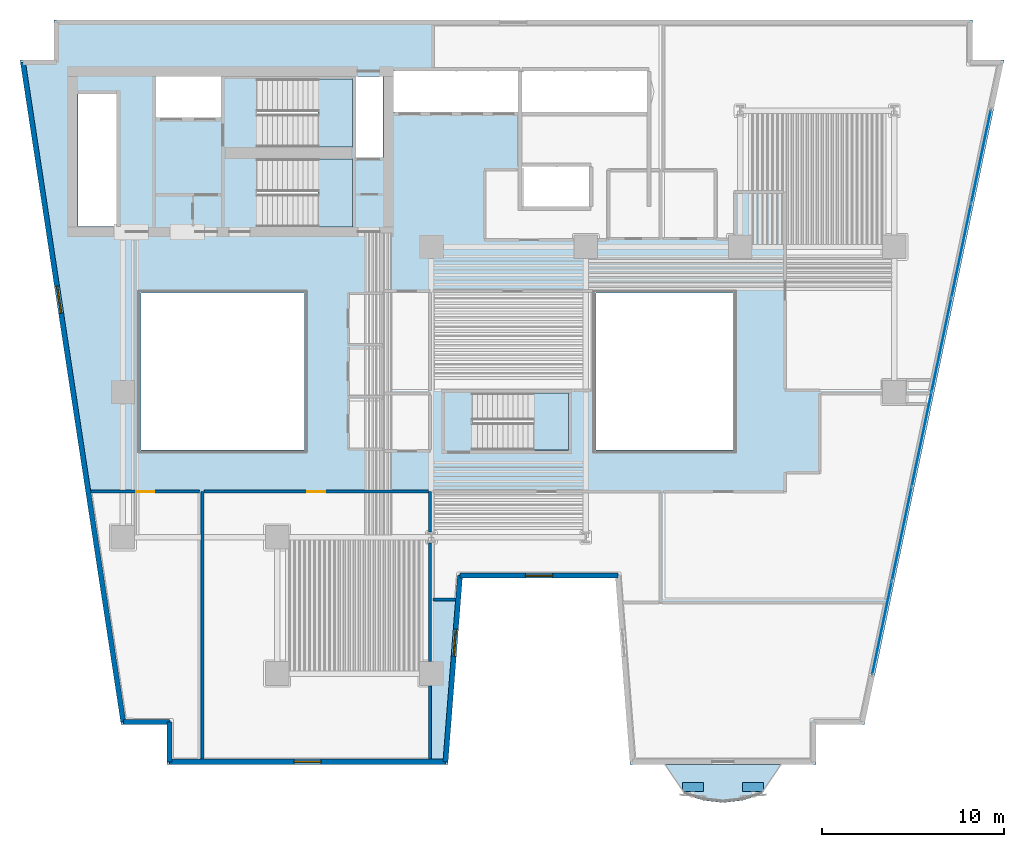
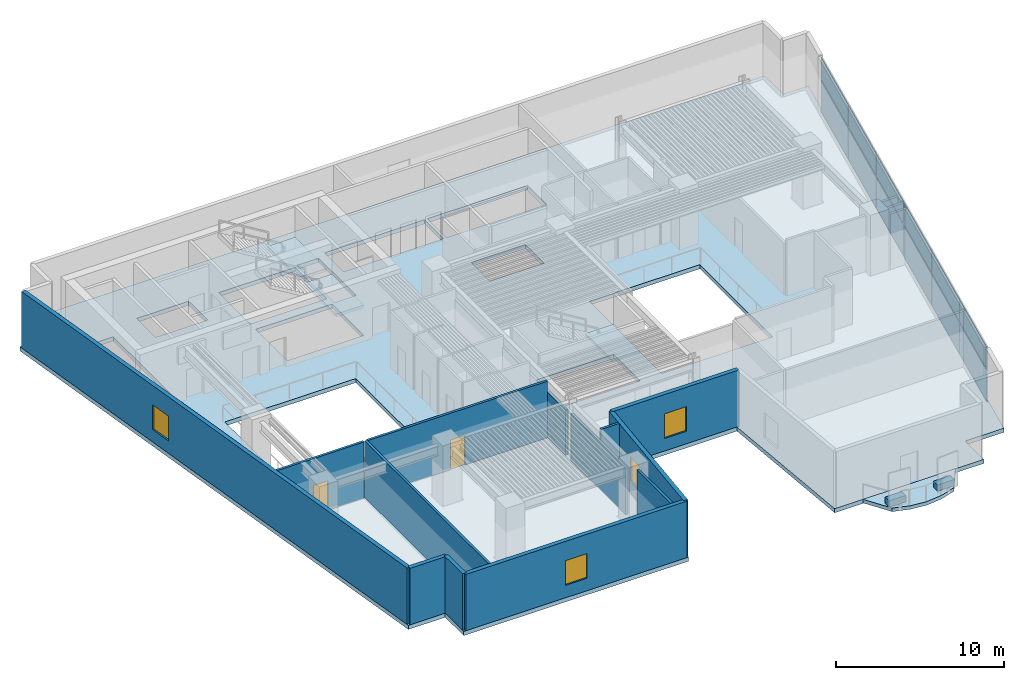
# One storey, part 3 of 11: 14 plates, 13 walls, 5 slabs, 4 windows, 2 doors, 6 openings, 4 elements without a shape of their own.
"""IFC4 building model written with IfcOpenShell, lengths in metres."""

from ifc_helpers import new_model, si_unit, direction, frame, frame_2d, origin, origin_2d, place, context, subcontext, project, spatial, polyline, rectangle, outline, extrude, material, layer, layer_set, type_object, element, fill, aggregate, save


model = new_model("IFC4")

# Units and contexts
model_context = context("Model", 3, precision=1e-05, world=origin(), true_north=direction((0.0, 1.0)))
body_context = subcontext(model_context, "Body", "Model", "MODEL_VIEW")
ifc_project = project(units=[si_unit("LENGTHUNIT", "METRE"), si_unit("AREAUNIT", "SQUARE_METRE"), si_unit("VOLUMEUNIT", "CUBIC_METRE"), si_unit("PLANEANGLEUNIT", "RADIAN"), si_unit("MASSUNIT", "GRAM", prefix="KILO")], contexts=[model_context])

# Site, building, storey
site_placement = place(None, origin())
site = spatial("IfcSite", under=ifc_project, at=site_placement, CompositionType="ELEMENT")
building_placement = place(site_placement, origin())
building = spatial("IfcBuilding", under=site, at=building_placement, Name="Caeloran Harvest Quay", CompositionType="ELEMENT")
storey_placement = place(building_placement, frame((0.0, 0.0, 44.60009765625)))
storey = spatial("IfcBuildingStorey", under=building, at=storey_placement, Name="L10", CompositionType="ELEMENT", Elevation=44.60009765625)

# Slab
ifc_material_1 = material(Name="Concrete C50/60", Category="concrete")
ifc_layer_1 = layer(ifc_material_1, 0.260009765625, Name="Concrete C50/60")
ifc_layer_set_1 = layer_set([ifc_layer_1], Name="Concrete C50/60")
slab_type_1 = type_object("IfcSlabType", Name="BALCONY-BL-260", PredefinedType="FLOOR", material=ifc_layer_set_1)
slab_1_placement = place(storey_placement, frame((0.0, 0.0, -0.260009765625)))
element("IfcSlab", 1, at=slab_1_placement, inside=storey, type_object=slab_type_1, Name="L10 Scalloped Cantilevered Planted Balcony Slab", PredefinedType="FLOOR", context=body_context, shape_type="SweptSolid", body=[
    extrude(outline(polyline([(43.686767578125, 0.840087890625), (42.622802734375, 0.510498046875), (41.55859375, 0.389892578125), (40.494384765625, 0.510498046875), (39.43017578125, 0.840087890625), (38.378662109375, 2.5), (44.73828125, 2.5), (43.686767578125, 0.840087890625)])), origin(), (0.0, 0.0, 1.0), 0.260009765625),
])

# Curtain wall, plates
ifc_material_2 = material(Name="Aluminium 6063-T6 and Low-E Glazing", Category="aluminium")
ifc_layer_2 = layer(ifc_material_2, 0.199951171875, Name="Aluminium 6063-T6 and Low-E Glazing")
ifc_layer_set_2 = layer_set([ifc_layer_2], Name="Aluminium 6063-T6 and Low-E Glazing")
curtain_wall_type = type_object("IfcCurtainWallType", Name="CW-SYS-CW-2", PredefinedType="USERDEFINED", material=ifc_layer_set_2)
curtain_wall_placement = place(storey_placement, origin())
curtain_wall = element("IfcCurtainWall", 2, at=curtain_wall_placement, inside=storey, type_object=curtain_wall_type, Name="L10 Unitised Curtain Wall CW-2 Run 9", ObjectType="CURTAIN_WALL", PredefinedType="USERDEFINED")
ifc_material_3 = material(Name="Low-E Double Glazed Vision Glass Unit", Category="glass")
ifc_layer_3 = layer(ifc_material_3, 0.035888671875, Name="Low-E Double Glazed Vision Glass Unit")
ifc_layer_set_3 = layer_set([ifc_layer_3], Name="Low-E Double Glazed Vision Glass Unit")
plate_type_1 = type_object("IfcPlateType", Name="CW-VISION-PANEL", PredefinedType="CURTAIN_PANEL", material=ifc_layer_set_3)
plate_1_placement = place(storey_placement, frame((55.780029296875, 35.993408203125, 0.080078125), z_axis=(0.0, 0.0, 1.0), x_axis=(-0.205582960081, -0.978639691881, 0.0)))
plate_1 = element("IfcPlate", 3, at=plate_1_placement, type_object=plate_type_1, Name="CW-2 panel 1.1", PredefinedType="CURTAIN_PANEL", context=body_context, shape_type="SweptSolid", body=[
    extrude(rectangle(XDim=5.19873046875, YDim=0.035888671875, at=origin_2d()), origin(), (0.0, 0.0, 1.0), 2.280029296875),
])
plate_2_placement = place(storey_placement, frame((55.780029296875, 35.993408203125, 2.43994140625), z_axis=(0.0, 0.0, 1.0), x_axis=(-0.205582960081, -0.978639691881, 0.0)))
plate_2 = element("IfcPlate", 4, at=plate_2_placement, type_object=plate_type_1, Name="CW-2 panel 1.2", PredefinedType="CURTAIN_PANEL", context=body_context, shape_type="SweptSolid", body=[
    extrude(rectangle(XDim=5.19873046875, YDim=0.035888671875, at=origin_2d()), origin(), (0.0, 0.0, 1.0), 1.580078125),
])
plate_3_placement = place(storey_placement, frame((54.690673828125, 30.807861328125, 0.080078125), z_axis=(0.0, 0.0, 1.0), x_axis=(-0.205582960081, -0.978639691881, 0.0)))
plate_3 = element("IfcPlate", 5, at=plate_3_placement, type_object=plate_type_1, Name="CW-2 panel 2.1", PredefinedType="CURTAIN_PANEL", context=body_context, shape_type="SweptSolid", body=[
    extrude(rectangle(XDim=5.23876953125, YDim=0.035888671875, at=origin_2d()), origin(), (0.0, 0.0, 1.0), 2.280029296875),
])
plate_4_placement = place(storey_placement, frame((54.690673828125, 30.807861328125, 2.43994140625), z_axis=(0.0, 0.0, 1.0), x_axis=(-0.205582960081, -0.978639691881, 0.0)))
plate_4 = element("IfcPlate", 6, at=plate_4_placement, type_object=plate_type_1, Name="CW-2 panel 2.2", PredefinedType="CURTAIN_PANEL", context=body_context, shape_type="SweptSolid", body=[
    extrude(rectangle(XDim=5.23876953125, YDim=0.035888671875, at=origin_2d()), origin(), (0.0, 0.0, 1.0), 1.580078125),
])
plate_5_placement = place(storey_placement, frame((53.59716796875, 25.6025390625, 0.080078125), z_axis=(0.0, 0.0, 1.0), x_axis=(-0.205582960081, -0.978639691881, 0.0)))
plate_5 = element("IfcPlate", 7, at=plate_5_placement, type_object=plate_type_1, Name="CW-2 panel 3.1", PredefinedType="CURTAIN_PANEL", context=body_context, shape_type="SweptSolid", body=[
    extrude(rectangle(XDim=5.23876953125, YDim=0.035888671875, at=origin_2d()), origin(), (0.0, 0.0, 1.0), 2.280029296875),
])
plate_6_placement = place(storey_placement, frame((53.59716796875, 25.6025390625, 2.43994140625), z_axis=(0.0, 0.0, 1.0), x_axis=(-0.205582960081, -0.978639691881, 0.0)))
plate_6 = element("IfcPlate", 8, at=plate_6_placement, type_object=plate_type_1, Name="CW-2 panel 3.2", PredefinedType="CURTAIN_PANEL", context=body_context, shape_type="SweptSolid", body=[
    extrude(rectangle(XDim=5.23876953125, YDim=0.035888671875, at=origin_2d()), origin(), (0.0, 0.0, 1.0), 1.580078125),
])
plate_7_placement = place(storey_placement, frame((52.503662109375, 20.3974609375, 0.080078125), z_axis=(0.0, 0.0, 1.0), x_axis=(-0.205582960081, -0.978639691881, 0.0)))
plate_7 = element("IfcPlate", 9, at=plate_7_placement, type_object=plate_type_1, Name="CW-2 panel 4.1", PredefinedType="CURTAIN_PANEL", context=body_context, shape_type="SweptSolid", body=[
    extrude(rectangle(XDim=5.23876953125, YDim=0.035888671875, at=origin_2d()), origin(), (0.0, 0.0, 1.0), 2.280029296875),
])
plate_8_placement = place(storey_placement, frame((52.503662109375, 20.3974609375, 2.43994140625), z_axis=(0.0, 0.0, 1.0), x_axis=(-0.205582960081, -0.978639691881, 0.0)))
plate_8 = element("IfcPlate", 10, at=plate_8_placement, type_object=plate_type_1, Name="CW-2 panel 4.2", PredefinedType="CURTAIN_PANEL", context=body_context, shape_type="SweptSolid", body=[
    extrude(rectangle(XDim=5.23876953125, YDim=0.035888671875, at=origin_2d()), origin(), (0.0, 0.0, 1.0), 1.580078125),
])
plate_9_placement = place(storey_placement, frame((51.41015625, 15.192138671875, 0.080078125), z_axis=(0.0, 0.0, 1.0), x_axis=(-0.205582960081, -0.978639691881, 0.0)))
plate_9 = element("IfcPlate", 11, at=plate_9_placement, type_object=plate_type_1, Name="CW-2 panel 5.1", PredefinedType="CURTAIN_PANEL", context=body_context, shape_type="SweptSolid", body=[
    extrude(rectangle(XDim=5.23876953125, YDim=0.035888671875, at=origin_2d()), origin(), (0.0, 0.0, 1.0), 2.280029296875),
])
plate_10_placement = place(storey_placement, frame((51.41015625, 15.192138671875, 2.43994140625), z_axis=(0.0, 0.0, 1.0), x_axis=(-0.205582960081, -0.978639691881, 0.0)))
plate_10 = element("IfcPlate", 12, at=plate_10_placement, type_object=plate_type_1, Name="CW-2 panel 5.2", PredefinedType="CURTAIN_PANEL", context=body_context, shape_type="SweptSolid", body=[
    extrude(rectangle(XDim=5.23876953125, YDim=0.035888671875, at=origin_2d()), origin(), (0.0, 0.0, 1.0), 1.580078125),
])
plate_11_placement = place(storey_placement, frame((50.321044921875, 10.006591796875, 0.080078125), z_axis=(0.0, 0.0, 1.0), x_axis=(-0.205582960081, -0.978639691881, 0.0)))
plate_11 = element("IfcPlate", 13, at=plate_11_placement, type_object=plate_type_1, Name="CW-2 panel 6.1", PredefinedType="CURTAIN_PANEL", context=body_context, shape_type="SweptSolid", body=[
    extrude(rectangle(XDim=5.19873046875, YDim=0.035888671875, at=origin_2d()), origin(), (0.0, 0.0, 1.0), 2.280029296875),
])
plate_12_placement = place(storey_placement, frame((50.321044921875, 10.006591796875, 2.43994140625), z_axis=(0.0, 0.0, 1.0), x_axis=(-0.205582960081, -0.978639691881, 0.0)))
plate_12 = element("IfcPlate", 14, at=plate_12_placement, type_object=plate_type_1, Name="CW-2 panel 6.2", PredefinedType="CURTAIN_PANEL", context=body_context, shape_type="SweptSolid", body=[
    extrude(rectangle(XDim=5.19873046875, YDim=0.035888671875, at=origin_2d()), origin(), (0.0, 0.0, 1.0), 1.580078125),
])
aggregate(curtain_wall, [plate_1, plate_2, plate_3, plate_4, plate_5, plate_6, plate_7, plate_8, plate_9, plate_10, plate_11, plate_12])

# Plates
ifc_material_4 = material(Name="Precast concrete C50/60", Category="concrete")
ifc_layer_4 = layer(ifc_material_4, 0.449951171875, Name="Precast concrete C50/60")
ifc_layer_set_4 = layer_set([ifc_layer_4], Name="Precast concrete C50/60")
plate_type_2 = type_object("IfcPlateType", Name="PLANTER-TROUGH-450", PredefinedType="USERDEFINED", material=ifc_layer_set_4)
for number, where, z_axis, x_axis, name in (
    (15, (43.218505859375, 1.2451171875, 0.0), (0.0, 0.0, 1.0), (1.0, 0.0, 0.0), "L10 Balcony Vertical-Greenery Precast PLANTER Trough 1"),
    (16, (39.8984375, 1.2451171875, 0.0), (0.0, 0.0, 1.0), (1.0, 0.0, 0.0), "L10 Balcony Vertical-Greenery Precast PLANTER Trough 2"),
):
    element("IfcPlate", number, at=place(storey_placement, frame(where, z_axis=z_axis, x_axis=x_axis)), inside=storey, type_object=plate_type_2, Name=name, ObjectType="PLANTER", PredefinedType="USERDEFINED", context=body_context, shape_type="SweptSolid", body=[
        extrude(rectangle(XDim=1.14990234375, YDim=0.47998046875, at=origin_2d()), origin(), (0.0, 0.0, 1.0), 0.449951171875),
    ])

# Slab
ifc_layer_5 = layer(ifc_material_1, 0.300048828125, Name="Concrete C50/60")
ifc_layer_set_5 = layer_set([ifc_layer_5], Name="Concrete C50/60")
slab_type_2 = type_object("IfcSlabType", Name="SLAB-FS-300", PredefinedType="FLOOR", material=ifc_layer_set_5)
slab_2_placement = place(storey_placement, frame((0.0, 0.0, -0.300048828125)))
element("IfcSlab", 17, at=slab_2_placement, inside=storey, type_object=slab_type_2, Name="L10 Structural Floor Slab", PredefinedType="FLOOR", context=body_context, shape_type="SweptSolid", body=[
    extrude(outline(polyline([(10.93701171875, 2.5), (26.403076171875, 2.5), (27.202880859375, 12.75), (35.640380859375, 12.75), (36.4404296875, 2.5), (46.68701171875, 2.5), (46.68701171875, 4.699951171875), (49.34912109375, 4.699951171875), (57.037841796875, 41.300048828125), (55.300048828125, 41.300048828125), (55.300048828125, 43.5), (4.699951171875, 43.5), (4.699951171875, 41.300048828125), (2.834716796875, 41.300048828125), (8.40234375, 4.699951171875), (10.93701171875, 4.699951171875), (10.93701171875, 2.5)]), holes=[polyline([(18.5, 19.800048828125), (9.5, 19.800048828125), (9.5, 28.449951171875), (18.5, 28.449951171875), (18.5, 19.800048828125)]), polyline([(15.89990234375, 32.10009765625), (15.89990234375, 35.85009765625), (21.14990234375, 35.85009765625), (21.14990234375, 32.10009765625), (15.89990234375, 32.10009765625)]), polyline([(8.159912109375, 32.1201171875), (6.02001953125, 32.1201171875), (6.02001953125, 39.419921875), (8.159912109375, 39.419921875), (8.159912109375, 32.1201171875)]), polyline([(21.35009765625, 35.919921875), (21.35009765625, 40.3798828125), (22.830078125, 40.3798828125), (22.830078125, 35.919921875), (21.35009765625, 35.919921875)]), polyline([(15.89990234375, 40.25), (21.14990234375, 40.25), (21.14990234375, 36.5), (15.89990234375, 36.5), (15.89990234375, 40.25)]), polyline([(13.89990234375, 38.1201171875), (10.320068359375, 38.1201171875), (10.320068359375, 40.3798828125), (13.89990234375, 40.3798828125), (13.89990234375, 38.1201171875)]), polyline([(27.75, 22.949951171875), (33.050048828125, 22.949951171875), (33.050048828125, 19.800048828125), (27.75, 19.800048828125), (27.75, 22.949951171875)]), polyline([(34.550048828125, 19.800048828125), (34.550048828125, 28.449951171875), (42.14990234375, 28.449951171875), (42.14990234375, 19.800048828125), (34.550048828125, 19.800048828125)]), polyline([(34.199951171875, 33.219970703125), (30.47998046875, 33.219970703125), (30.47998046875, 35.429931640625), (34.199951171875, 35.429931640625), (34.199951171875, 33.219970703125)]), polyline([(23.419921875, 38.419921875), (23.419921875, 40.679931640625), (30.280029296875, 40.679931640625), (30.280029296875, 38.419921875), (23.419921875, 38.419921875)]), polyline([(30.47998046875, 38.419921875), (30.47998046875, 40.679931640625), (37.3798828125, 40.679931640625), (37.3798828125, 38.419921875), (30.47998046875, 38.419921875)])]), origin(), (0.0, 0.0, 1.0), 0.300048828125),
])

# Stair, slab
stair_type_1 = type_object("IfcStairType", Name="STAIR-STC-180", PredefinedType="HALF_TURN_STAIR", material=ifc_material_1)
stair_1_placement = place(storey_placement, origin())
stair_1 = element("IfcStair", 18, at=stair_1_placement, inside=storey, type_object=stair_type_1, Name="L10 Core Pressurized Exit Stair ST-C1", PredefinedType="HALF_TURN_STAIR")
ifc_layer_6 = layer(ifc_material_1, 0.219970703125, Name="Concrete C50/60")
ifc_layer_set_6 = layer_set([ifc_layer_6], Name="Concrete C50/60")
slab_type_3 = type_object("IfcSlabType", Name="STAIR-LANDING-220", PredefinedType="LANDING", material=ifc_layer_set_6)
slab_3_placement = place(storey_placement, frame((0.0, 0.0, 2.0)))
slab_3 = element("IfcSlab", 19, at=slab_3_placement, type_object=slab_type_3, Name="ST-C1 landing 1", PredefinedType="LANDING", context=body_context, shape_type="SweptSolid", body=[
    extrude(outline(polyline([(19.260009765625, 36.5), (21.14990234375, 36.5), (21.14990234375, 40.25), (19.260009765625, 40.25), (19.260009765625, 36.5)])), origin(), (0.0, 0.0, 1.0), 0.199951171875),
])
aggregate(stair_1, [slab_3])

stair_2_placement = place(storey_placement, origin())
stair_2 = element("IfcStair", 20, at=stair_2_placement, inside=storey, type_object=stair_type_1, Name="L10 Core Pressurized Exit Stair ST-C2", PredefinedType="HALF_TURN_STAIR")
slab_4_placement = place(storey_placement, frame((0.0, 0.0, 2.0)))
slab_4 = element("IfcSlab", 21, at=slab_4_placement, type_object=slab_type_3, Name="ST-C2 landing 1", PredefinedType="LANDING", context=body_context, shape_type="SweptSolid", body=[
    extrude(outline(polyline([(19.260009765625, 32.10009765625), (21.14990234375, 32.10009765625), (21.14990234375, 35.85009765625), (19.260009765625, 35.85009765625), (19.260009765625, 32.10009765625)])), origin(), (0.0, 0.0, 1.0), 0.199951171875),
])
aggregate(stair_2, [slab_4])

stair_type_2 = type_object("IfcStairType", Name="STAIR-STW-150", PredefinedType="HALF_TURN_STAIR", material=ifc_material_1)
stair_3_placement = place(storey_placement, origin())
stair_3 = element("IfcStair", 22, at=stair_3_placement, inside=storey, type_object=stair_type_2, Name="L10 East Wing Protected Exit Stair ST-W1", PredefinedType="HALF_TURN_STAIR")
slab_5_placement = place(storey_placement, frame((0.0, 0.0, 2.0)))
slab_5 = element("IfcSlab", 23, at=slab_5_placement, type_object=slab_type_3, Name="ST-W1 landing 1", PredefinedType="LANDING", context=body_context, shape_type="SweptSolid", body=[
    extrude(outline(polyline([(31.110107421875, 19.800048828125), (33.050048828125, 19.800048828125), (33.050048828125, 22.949951171875), (31.110107421875, 22.949951171875), (31.110107421875, 19.800048828125)])), origin(), (0.0, 0.0, 1.0), 0.199951171875),
])
aggregate(stair_3, [slab_5])

# Walls
ifc_layer_7 = layer(ifc_material_4, 0.280029296875, Name="Precast concrete C50/60")
ifc_layer_set_7 = layer_set([ifc_layer_7], Name="Precast concrete C50/60")
wall_type_1 = type_object("IfcWallType", Name="ENV-WALL-EW-280", PredefinedType="STANDARD", material=ifc_layer_set_7)
wall_1_placement = place(storey_placement, frame((11.076904296875, 2.639892578125, 0.0), z_axis=(0.0, 0.0, 1.0), x_axis=(0.0, 1.0, 0.0)))
element("IfcWall", 24, at=wall_1_placement, inside=storey, type_object=wall_type_1, Name="L10 Exterior Precast Concrete Facade Wall 1", PredefinedType="STANDARD", context=body_context, shape_type="SweptSolid", body=[
    extrude(rectangle(XDim=2.2001953125, YDim=0.280029296875, at=frame_2d((1.10009765625, 0.0))), origin(), (0.0, 0.0, 1.0), 4.099853515625),
])
wall_2_placement = place(storey_placement, frame((11.076904296875, 4.840087890625, 0.0), z_axis=(0.0, 0.0, 1.0), x_axis=(-1.0, 0.0, 0.0)))
element("IfcWall", 25, at=wall_2_placement, inside=storey, type_object=wall_type_1, Name="L10 Exterior Precast Concrete Facade Wall 2", PredefinedType="STANDARD", context=body_context, shape_type="SweptSolid", body=[
    extrude(rectangle(XDim=2.55419921875, YDim=0.280029296875, at=frame_2d((1.277099609375, 0.0))), origin(), (0.0, 0.0, 1.0), 4.099853515625),
])

# Wall, opening, window
wall_3_placement = place(storey_placement, frame((8.522705078125, 4.840087890625, 0.0), z_axis=(0.0, 0.0, 1.0), x_axis=(-0.150394554312, 0.988626055712, 0.0)))
wall_3 = element("IfcWall", 26, at=wall_3_placement, inside=storey, type_object=wall_type_1, Name="L10 Exterior Precast Concrete Facade Wall 3", PredefinedType="STANDARD", context=body_context, shape_type="SweptSolid", body=[
    extrude(rectangle(XDim=36.73779296875, YDim=0.280029296875, at=frame_2d((18.368896484375, 0.0))), origin(), (0.0, 0.0, 1.0), 4.099853515625),
])
opening_1_placement = place(wall_3_placement, frame((22.761962890625, 0.0, 0.89990234375)))
opening_1 = element("IfcOpeningElement", 27, at=opening_1_placement, cuts=wall_3, Name="Opening W-03", PredefinedType="OPENING", context=body_context, shape_type="SweptSolid", body=[
    extrude(rectangle(XDim=1.5, YDim=1.800048828125, at=frame_2d((0.75, 0.89990234375))), frame((0.0, 0.14990234375, 0.0), z_axis=(0.0, -1.0, 0.0), x_axis=(1.0, 0.0, 0.0)), (0.0, 0.0, 1.0), 0.300048828125),
])
ifc_material_5 = material(Name="Aluminium-Framed Low-E Laminated Glass", Category="aluminium")
window_type = type_object("IfcWindowType", Name="WIN-W-03", PartitioningType="SINGLE_PANEL", PredefinedType="WINDOW", material=ifc_material_5)
window_1_placement = place(opening_1_placement, origin())
window_1 = element("IfcWindow", 28, at=window_1_placement, inside=storey, type_object=window_type, Name="L10 Facade Punched Window W-03", OverallHeight=1.800048828125, OverallWidth=1.5, PartitioningType="SINGLE_PANEL", PredefinedType="WINDOW", context=body_context, shape_type="SweptSolid", body=[
    extrude(rectangle(XDim=1.5, YDim=1.800048828125, at=frame_2d((0.75, 0.89990234375))), frame((0.0, 0.030029296875, 0.0), z_axis=(0.0, -1.0, 0.0), x_axis=(1.0, 0.0, 0.0)), (0.0, 0.0, 1.0), 0.06005859375),
])
fill(opening_1, window_1)

wall_4_placement = place(storey_placement, frame((35.77001953125, 12.889892578125, 0.0), z_axis=(0.0, 0.0, 1.0), x_axis=(-1.0, 0.0, 0.0)))
wall_4 = element("IfcWall", 29, at=wall_4_placement, inside=storey, type_object=wall_type_1, Name="L10 Exterior Precast Concrete Facade Wall 14", PredefinedType="STANDARD", context=body_context, shape_type="SweptSolid", body=[
    extrude(rectangle(XDim=8.696533203125, YDim=0.280029296875, at=frame_2d((4.34814453125, 0.0))), origin(), (0.0, 0.0, 1.0), 4.099853515625),
])
opening_2_placement = place(wall_4_placement, frame((3.597900390625, 0.0, 0.89990234375)))
opening_2 = element("IfcOpeningElement", 30, at=opening_2_placement, cuts=wall_4, Name="Opening W-03", PredefinedType="OPENING", context=body_context, shape_type="SweptSolid", body=[
    extrude(rectangle(XDim=1.5, YDim=1.800048828125, at=frame_2d((0.75, 0.89990234375))), frame((0.0, 0.14990234375, 0.0), z_axis=(0.0, -1.0, 0.0), x_axis=(1.0, 0.0, 0.0)), (0.0, 0.0, 1.0), 0.300048828125),
])
window_2_placement = place(opening_2_placement, origin())
window_2 = element("IfcWindow", 31, at=window_2_placement, inside=storey, type_object=window_type, Name="L10 Facade Punched Window W-03", OverallHeight=1.800048828125, OverallWidth=1.5, PartitioningType="SINGLE_PANEL", PredefinedType="WINDOW", context=body_context, shape_type="SweptSolid", body=[
    extrude(rectangle(XDim=1.5, YDim=1.800048828125, at=frame_2d((0.75, 0.89990234375))), frame((0.0, 0.030029296875, 0.0), z_axis=(0.0, -1.0, 0.0), x_axis=(1.0, 0.0, 0.0)), (0.0, 0.0, 1.0), 0.06005859375),
])
fill(opening_2, window_2)

wall_5_placement = place(storey_placement, frame((27.073486328125, 12.889892578125, 0.0), z_axis=(0.0, 0.0, 1.0), x_axis=(-0.077816860153, -0.996967670627, 0.0)))
wall_5 = element("IfcWall", 32, at=wall_5_placement, inside=storey, type_object=wall_type_1, Name="L10 Exterior Precast Concrete Facade Wall 15", PredefinedType="STANDARD", context=body_context, shape_type="SweptSolid", body=[
    extrude(rectangle(XDim=10.28125, YDim=0.280029296875, at=frame_2d((5.140625, 0.0))), origin(), (0.0, 0.0, 1.0), 4.099853515625),
])
opening_3_placement = place(wall_5_placement, frame((2.950927734375, 0.0, 0.89990234375)))
opening_3 = element("IfcOpeningElement", 33, at=opening_3_placement, cuts=wall_5, Name="Opening W-03", PredefinedType="OPENING", context=body_context, shape_type="SweptSolid", body=[
    extrude(rectangle(XDim=1.5, YDim=1.800048828125, at=frame_2d((0.75, 0.89990234375))), frame((0.0, 0.14990234375, 0.0), z_axis=(0.0, -1.0, 0.0), x_axis=(1.0, 0.0, 0.0)), (0.0, 0.0, 1.0), 0.300048828125),
])
window_3_placement = place(opening_3_placement, origin())
window_3 = element("IfcWindow", 34, at=window_3_placement, inside=storey, type_object=window_type, Name="L10 Facade Punched Window W-03", OverallHeight=1.800048828125, OverallWidth=1.5, PartitioningType="SINGLE_PANEL", PredefinedType="WINDOW", context=body_context, shape_type="SweptSolid", body=[
    extrude(rectangle(XDim=1.5, YDim=1.800048828125, at=frame_2d((0.75, 0.89990234375))), frame((0.0, 0.030029296875, 0.0), z_axis=(0.0, -1.0, 0.0), x_axis=(1.0, 0.0, 0.0)), (0.0, 0.0, 1.0), 0.06005859375),
])
fill(opening_3, window_3)

wall_6_placement = place(storey_placement, frame((26.2734375, 2.639892578125, 0.0), z_axis=(0.0, 0.0, 1.0), x_axis=(-1.0, 0.0, 0.0)))
wall_6 = element("IfcWall", 35, at=wall_6_placement, inside=storey, type_object=wall_type_1, Name="L10 Exterior Precast Concrete Facade Wall 16", PredefinedType="STANDARD", context=body_context, shape_type="SweptSolid", body=[
    extrude(rectangle(XDim=15.196533203125, YDim=0.280029296875, at=frame_2d((7.59814453125, 0.0))), origin(), (0.0, 0.0, 1.0), 4.099853515625),
])
opening_4_placement = place(wall_6_placement, frame((6.847900390625, 0.0, 0.89990234375)))
opening_4 = element("IfcOpeningElement", 36, at=opening_4_placement, cuts=wall_6, Name="Opening W-03", PredefinedType="OPENING", context=body_context, shape_type="SweptSolid", body=[
    extrude(rectangle(XDim=1.5, YDim=1.800048828125, at=frame_2d((0.75, 0.89990234375))), frame((0.0, 0.14990234375, 0.0), z_axis=(0.0, -1.0, 0.0), x_axis=(1.0, 0.0, 0.0)), (0.0, 0.0, 1.0), 0.300048828125),
])
window_4_placement = place(opening_4_placement, origin())
window_4 = element("IfcWindow", 37, at=window_4_placement, inside=storey, type_object=window_type, Name="L10 Facade Punched Window W-03", OverallHeight=1.800048828125, OverallWidth=1.5, PartitioningType="SINGLE_PANEL", PredefinedType="WINDOW", context=body_context, shape_type="SweptSolid", body=[
    extrude(rectangle(XDim=1.5, YDim=1.800048828125, at=frame_2d((0.75, 0.89990234375))), frame((0.0, 0.030029296875, 0.0), z_axis=(0.0, -1.0, 0.0), x_axis=(1.0, 0.0, 0.0)), (0.0, 0.0, 1.0), 0.06005859375),
])
fill(opening_4, window_4)

# Walls
ifc_material_6 = material(Name="Autoclaved Aerated Concrete Blockwork", Category="masonry")
ifc_layer_8 = layer(ifc_material_6, 0.1650390625, Name="Autoclaved Aerated Concrete Blockwork")
ifc_layer_set_8 = layer_set([ifc_layer_8], Name="Autoclaved Aerated Concrete Blockwork")
wall_type_2 = type_object("IfcWallType", Name="INT-WALL-PW-165", PredefinedType="PARTITIONING", material=ifc_layer_set_8)
wall_7_placement = place(storey_placement, frame((25.419921875, 17.52001953125, 0.0), z_axis=(0.0, 0.0, 1.0), x_axis=(0.0, -1.0, 0.0)))
element("IfcWall", 38, at=wall_7_placement, inside=storey, type_object=wall_type_2, Name="Saffron and Herb Vertical Growing Room Partition Wall", PredefinedType="PARTITIONING", context=body_context, shape_type="SweptSolid", body=[
    extrude(rectangle(XDim=2.21044921875, YDim=0.1650390625, at=frame_2d((1.105224609375, 0.0))), origin(), (0.0, 0.0, 1.0), 3.284912109375),
])
wall_8_placement = place(storey_placement, frame((25.419921875, 14.6904296875, 0.0), z_axis=(0.0, 0.0, 1.0), x_axis=(0.0, -1.0, 0.0)))
element("IfcWall", 39, at=wall_8_placement, inside=storey, type_object=wall_type_2, Name="Saffron and Herb Vertical Growing Room Partition Wall", PredefinedType="PARTITIONING", context=body_context, shape_type="SweptSolid", body=[
    extrude(rectangle(XDim=6.515380859375, YDim=0.1650390625, at=frame_2d((3.2578125, 0.0))), origin(), (0.0, 0.0, 1.0), 3.385009765625),
])
wall_9_placement = place(storey_placement, frame((25.419921875, 6.824951171875, 0.0), z_axis=(0.0, 0.0, 1.0), x_axis=(0.0, -1.0, 0.0)))
element("IfcWall", 40, at=wall_9_placement, inside=storey, type_object=wall_type_2, Name="Saffron and Herb Vertical Growing Room Partition Wall", PredefinedType="PARTITIONING", context=body_context, shape_type="SweptSolid", body=[
    extrude(rectangle(XDim=4.0400390625, YDim=0.1650390625, at=frame_2d((2.02001953125, 0.0))), origin(), (0.0, 0.0, 1.0), 4.099853515625),
])
wall_10_placement = place(storey_placement, frame((12.8798828125, 2.784912109375, 0.0), z_axis=(0.0, 0.0, 1.0), x_axis=(0.0, 1.0, 0.0)))
element("IfcWall", 41, at=wall_10_placement, inside=storey, type_object=wall_type_2, Name="Saffron and Herb Vertical Growing Room Partition Wall", PredefinedType="PARTITIONING", context=body_context, shape_type="SweptSolid", body=[
    extrude(rectangle(XDim=14.735107421875, YDim=0.1650390625, at=frame_2d((7.36767578125, 0.0))), origin(), (0.0, 0.0, 1.0), 4.099853515625),
])

# Wall, opening, door
wall_11_placement = place(storey_placement, frame((12.967529296875, 17.52001953125, 0.0), z_axis=(0.0, 0.0, 1.0), x_axis=(1.0, 0.0, 0.0)))
wall_11 = element("IfcWall", 42, at=wall_11_placement, inside=storey, type_object=wall_type_2, Name="Saffron and Herb Vertical Growing Room Partition Wall", PredefinedType="PARTITIONING", context=body_context, shape_type="SweptSolid", body=[
    extrude(rectangle(XDim=12.364990234375, YDim=0.1650390625, at=frame_2d((6.1826171875, 0.0))), origin(), (0.0, 0.0, 1.0), 4.099853515625),
])
opening_5_placement = place(wall_11_placement, frame((5.6826171875, 0.0, 0.0)))
opening_5 = element("IfcOpeningElement", 43, at=opening_5_placement, cuts=wall_11, Name="Opening ID-01", PredefinedType="OPENING", context=body_context, shape_type="SweptSolid", body=[
    extrude(rectangle(XDim=1.0, YDim=2.14990234375, at=frame_2d((0.5, 1.074951171875))), frame((0.0, 0.092529296875, 0.0), z_axis=(0.0, -1.0, 0.0), x_axis=(1.0, 0.0, 0.0)), (0.0, 0.0, 1.0), 0.18505859375),
])
ifc_material_7 = material(Name="FSC Solid-Core Ash Timber and Acoustic Seal", Category="wood")
door_type = type_object("IfcDoorType", Name="INTDOOR-ID-01", OperationType="NOTDEFINED", PredefinedType="DOOR", material=ifc_material_7)
door_1_placement = place(opening_5_placement, origin())
door_1 = element("IfcDoor", 44, at=door_1_placement, inside=storey, type_object=door_type, Name="Saffron and Herb Vertical Growing Room Access Door", OperationType="SINGLE_SWING_RIGHT", OverallHeight=2.14990234375, OverallWidth=1.0, PredefinedType="DOOR", context=body_context, shape_type="SweptSolid", body=[
    extrude(rectangle(XDim=1.0, YDim=2.14990234375, at=frame_2d((0.5, 1.074951171875))), frame((0.0, 0.02490234375, 0.0), z_axis=(0.0, -1.0, 0.0), x_axis=(1.0, 0.0, 0.0)), (0.0, 0.0, 1.0), 0.050048828125),
])
fill(opening_5, door_1)

# Wall
wall_12_placement = place(storey_placement, frame((26.82568359375, 11.580078125, 0.0), z_axis=(0.0, 0.0, 1.0), x_axis=(-1.0, 0.0, 0.0)))
element("IfcWall", 45, at=wall_12_placement, inside=storey, type_object=wall_type_2, Name="Microgreens LED Rack Chamber Partition Wall", PredefinedType="PARTITIONING", context=body_context, shape_type="SweptSolid", body=[
    extrude(rectangle(XDim=1.24560546875, YDim=0.1650390625, at=frame_2d((0.622802734375, 0.0))), origin(), (0.0, 0.0, 1.0), 4.099853515625),
])

# Wall, opening, door
wall_13_placement = place(storey_placement, frame((6.740478515625, 17.52001953125, 0.0), z_axis=(0.0, 0.0, 1.0), x_axis=(1.0, 0.0, 0.0)))
wall_13 = element("IfcWall", 46, at=wall_13_placement, inside=storey, type_object=wall_type_2, Name="Pollination Entomology Laboratory Partition Wall", PredefinedType="PARTITIONING", context=body_context, shape_type="SweptSolid", body=[
    extrude(rectangle(XDim=5.9794921875, YDim=0.1650390625, at=frame_2d((2.98974609375, 0.0))), origin(), (0.0, 0.0, 1.0), 4.099853515625),
])
opening_6_placement = place(wall_13_placement, frame((2.48974609375, 0.0, 0.0)))
opening_6 = element("IfcOpeningElement", 47, at=opening_6_placement, cuts=wall_13, Name="Opening ID-01", PredefinedType="OPENING", context=body_context, shape_type="SweptSolid", body=[
    extrude(rectangle(XDim=1.0, YDim=2.14990234375, at=frame_2d((0.5, 1.074951171875))), frame((0.0, 0.092529296875, 0.0), z_axis=(0.0, -1.0, 0.0), x_axis=(1.0, 0.0, 0.0)), (0.0, 0.0, 1.0), 0.18505859375),
])
door_2_placement = place(opening_6_placement, origin())
door_2 = element("IfcDoor", 48, at=door_2_placement, inside=storey, type_object=door_type, Name="Pollination Entomology Laboratory Access Door", OperationType="SINGLE_SWING_RIGHT", OverallHeight=2.14990234375, OverallWidth=1.0, PredefinedType="DOOR", context=body_context, shape_type="SweptSolid", body=[
    extrude(rectangle(XDim=1.0, YDim=2.14990234375, at=frame_2d((0.5, 1.074951171875))), frame((0.0, 0.02490234375, 0.0), z_axis=(0.0, -1.0, 0.0), x_axis=(1.0, 0.0, 0.0)), (0.0, 0.0, 1.0), 0.050048828125),
])
fill(opening_6, door_2)

save(model, "model.ifc")
